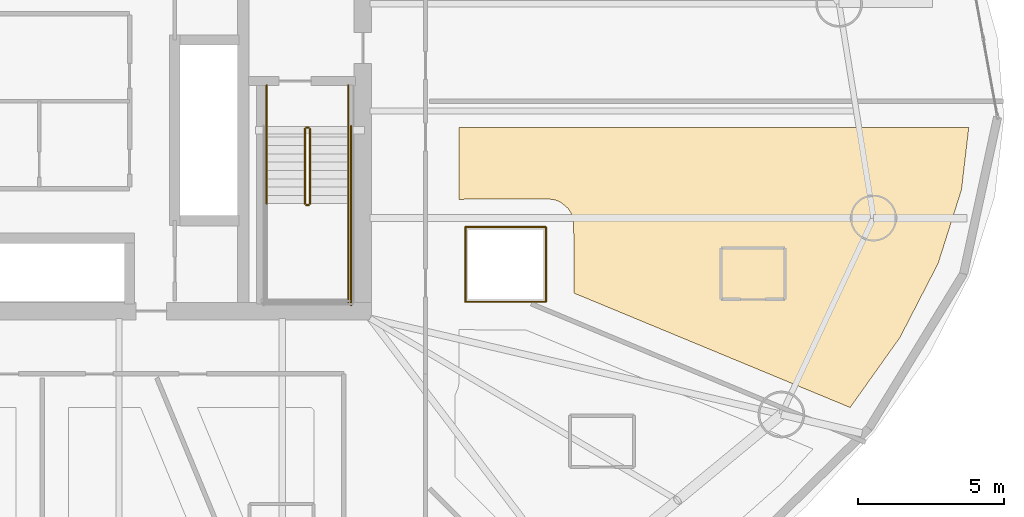
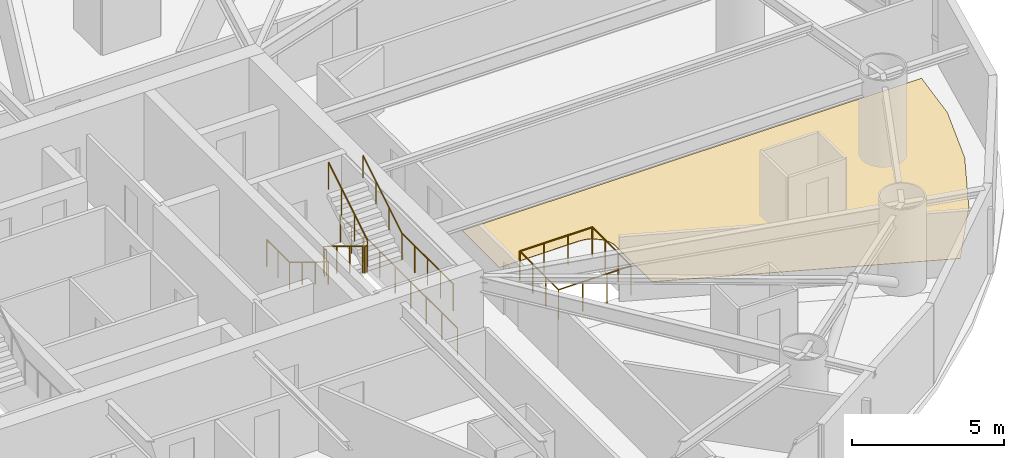
# One storey, part 26 of 27: 14 railings, 1 covering.
"""IFC4 building model written with IfcOpenShell, lengths in metres."""

import ifcopenshell
import ifcopenshell.guid

model = None  # the IFC model being written
_history = None  # IfcOwnerHistory: only IFC2X3 demands one
_inside = {}  # id of a spatial element -> (the spatial element, [elements in it])
_under = {}  # id of a project, library or spatial element -> (it, [spatial elements below it])
_declared = {}  # id of a project -> (the project, [libraries it declares])
_typed = {}  # id of a type object -> (the type object, [elements of that type])
_made_of = {}  # id of a material, layer set ... -> (it, [elements and type objects made of it])


def new_model(schema):
    """Start an empty IFC model of exactly this schema.

    Asked for "IFC4X3", IfcOpenShell would pick the latest addendum, in which some entities
    have other attributes; the version numbers below select the first issue.
    IFC2X3 requires an IfcOwnerHistory on every rooted entity: one is made here for all.
    """
    global model, _history
    if schema == "IFC4X3":
        model = ifcopenshell.file(schema_version=(4, 3, 0, 0))
    else:
        model = ifcopenshell.file(schema=schema)
    _inside.clear()
    _under.clear()
    _declared.clear()
    _typed.clear()
    _made_of.clear()
    _history = None
    if model.schema == "IFC2X3":
        org = make("IfcOrganization", Name="unknown")
        user = make(
            "IfcPersonAndOrganization",
            ThePerson=make("IfcPerson", FamilyName="unknown"),
            TheOrganization=org,
        )
        app = make(
            "IfcApplication",
            ApplicationDeveloper=org,
            Version="unknown",
            ApplicationFullName="unknown",
            ApplicationIdentifier="unknown",
        )
        _history = make(
            "IfcOwnerHistory",
            OwningUser=user,
            OwningApplication=app,
            ChangeAction="ADDED",
            CreationDate=0,
        )
    return model


def make(cls, **values):
    """One entity of the class cls with the attributes given. An attribute that is None is left unset."""
    return model.create_entity(
        cls, **{name: value for name, value in values.items() if value is not None}
    )


def rooted(cls, **values):
    """An entity with a GlobalId (a new one), such as an element, a storey or a relation."""
    return make(cls, GlobalId=ifcopenshell.guid.new(), OwnerHistory=_history, **values)


def si_unit(unit_type, name, prefix=None):
    """IfcSIUnit, for example si_unit("LENGTHUNIT", "METRE", prefix="MILLI")."""
    return make("IfcSIUnit", UnitType=unit_type, Prefix=prefix, Name=name)


def assignment(units):
    """IfcUnitAssignment: the units of a project."""
    return None if units is None else make("IfcUnitAssignment", Units=units)


def point(xyz):
    """IfcCartesianPoint."""
    return None if xyz is None else make("IfcCartesianPoint", Coordinates=xyz)


def direction(xyz):
    """IfcDirection."""
    return None if xyz is None else make("IfcDirection", DirectionRatios=xyz)


def frame(location, z_axis=None, x_axis=None):
    """IfcAxis2Placement3D, a coordinate frame: its origin and axes. An axis left out is left unset."""
    return make(
        "IfcAxis2Placement3D",
        Location=point(location),
        Axis=direction(z_axis),
        RefDirection=direction(x_axis),
    )


def frame_2d(location, x_axis=None):
    """IfcAxis2Placement2D, a coordinate frame in the plane: its origin and x axis."""
    return make(
        "IfcAxis2Placement2D", Location=point(location), RefDirection=direction(x_axis)
    )


def origin():
    """The frame at (0, 0, 0) with its axes left unset."""
    return frame((0.0, 0.0, 0.0))


def origin_2d():
    """The frame at (0, 0) in the plane with its x axis left unset."""
    return frame_2d((0.0, 0.0))


def place(relative_to, where):
    """IfcLocalPlacement: puts the frame where relative to a parent placement (None: the world)."""
    return make(
        "IfcLocalPlacement", PlacementRelTo=relative_to, RelativePlacement=where
    )


def context(
    kind, dimensions, precision=None, world=None, true_north=None, identifier=None
):
    """IfcGeometricRepresentationContext, for example the 3D "Model" context."""
    return make(
        "IfcGeometricRepresentationContext",
        ContextIdentifier=identifier,
        ContextType=kind,
        CoordinateSpaceDimension=dimensions,
        Precision=precision,
        WorldCoordinateSystem=world,
        TrueNorth=true_north,
    )


def subcontext(parent, identifier, kind, view, scale=None):
    """IfcGeometricRepresentationSubContext, for example "Body" below "Model"."""
    return make(
        "IfcGeometricRepresentationSubContext",
        ContextIdentifier=identifier,
        ContextType=kind,
        ParentContext=parent,
        TargetScale=scale,
        TargetView=view,
    )


def project(units=None, contexts=None):
    """IfcProject with its units and contexts."""
    return rooted(
        "IfcProject",
        Name="project",
        RepresentationContexts=contexts,
        UnitsInContext=assignment(units),
    )


def spatial(cls, under=None, at=None, **own):
    """A site, building, storey or space (cls), placed at a placement, below another one or the project."""
    s = rooted(cls, ObjectPlacement=at, **own)
    if under is not None:
        _under.setdefault(under.id(), (under, []))[1].append(s)
    return s


def polyline(points):
    """IfcPolyline through the points."""
    return make("IfcPolyline", Points=[point(p) for p in points])


def profile(cls, at=None, kind="AREA", **sizes):
    """A parametric profile (cls). Its sizes go by their IFC names, for example OverallWidth=200.0."""
    return make(cls, ProfileType=kind, Position=at, **sizes)


def circle(**sizes):
    """IfcCircleProfileDef."""
    return profile("IfcCircleProfileDef", **sizes)


def outline(outer, holes=None, kind="AREA"):
    """IfcArbitraryClosedProfileDef: a profile drawn as a closed curve; with holes, ...WithVoids."""
    if holes is None:
        return make("IfcArbitraryClosedProfileDef", ProfileType=kind, OuterCurve=outer)
    return make(
        "IfcArbitraryProfileDefWithVoids",
        ProfileType=kind,
        OuterCurve=outer,
        InnerCurves=holes,
    )


def extrude(swept, where, along, depth):
    """IfcExtrudedAreaSolid: the profile swept, set in the frame where, extruded along a direction by depth."""
    return make(
        "IfcExtrudedAreaSolid",
        SweptArea=swept,
        Position=where,
        ExtrudedDirection=direction(along),
        Depth=depth,
    )


def shape(context_of_items, identifier, shape_type, items):
    """IfcShapeRepresentation: the items that make up one representation, for example the "Body"."""
    return make(
        "IfcShapeRepresentation",
        ContextOfItems=context_of_items,
        RepresentationIdentifier=identifier,
        RepresentationType=shape_type,
        Items=items,
    )


def material(Name=None, Category=None):
    """IfcMaterial."""
    return make("IfcMaterial", Name=Name, Category=Category)


def layer(
    of_material, thickness, ventilated=None, Name=None, Category=None, Priority=None
):
    """IfcMaterialLayer: one layer of a wall or slab, of a material (None: an air gap)."""
    return make(
        "IfcMaterialLayer",
        Material=of_material,
        LayerThickness=thickness,
        IsVentilated=ventilated,
        Name=Name,
        Category=Category,
        Priority=Priority,
    )


def layer_set(layers, Name=None):
    """IfcMaterialLayerSet."""
    return make("IfcMaterialLayerSet", MaterialLayers=layers, LayerSetName=Name)


def made_of(thing, what):
    """Note that an element or type object is made of a material, layer set ...; save() writes the relation."""
    if what is not None:
        _made_of.setdefault(what.id(), (what, []))[1].append(thing)
    return thing


def type_object(cls, material=None, **own):
    """A type object (cls), such as IfcWallType, which elements share."""
    return made_of(rooted(cls, **own), material)


def element(
    cls,
    number,
    at=None,
    inside=None,
    cuts=None,
    type_object=None,
    material=None,
    context=None,
    identifier="Body",
    shape_type=None,
    held_by="IfcProductDefinitionShape",
    body=None,
    shapes=None,
    **own,
):
    """One element of the class cls, such as IfcWall. Its Tag is "e" and its number.

    at: its placement. inside: the storey or other place that contains it. cuts: it is an
    opening in that element (IfcRelVoidsElement). A single representation is given by context,
    identifier, shape_type and body (its items); several are given by shapes. held_by: the class
    of the entity that holds the representations. save() writes the other relations.
    """
    e = rooted(cls, Tag="e%d" % number, ObjectPlacement=at, **own)
    if body is not None:
        shapes = [shape(context, identifier, shape_type, body)]
    if shapes is not None:
        e.Representation = make(held_by, Representations=shapes)
    if inside is not None:
        _inside.setdefault(inside.id(), (inside, []))[1].append(e)
    if cuts is not None:
        rooted(
            "IfcRelVoidsElement", RelatingBuildingElement=cuts, RelatedOpeningElement=e
        )
    if type_object is not None:
        _typed.setdefault(type_object.id(), (type_object, []))[1].append(e)
    return made_of(e, material)


def aggregate(whole, parts):
    """IfcRelAggregates: a whole, such as a stair, and the parts it consists of."""
    return rooted("IfcRelAggregates", RelatingObject=whole, RelatedObjects=parts)


def save(model, path):
    """Write the relations noted so far, then the file.

    IfcRelAggregates (storeys below a building ...), IfcRelContainedInSpatialStructure (elements
    in a storey), IfcRelDefinesByType, IfcRelAssociatesMaterial and IfcRelDeclares: one each for
    every whole, place, type object, material and project.
    """
    for whole, parts in _under.values():
        aggregate(whole, parts)
    for where, things in _inside.values():
        rooted(
            "IfcRelContainedInSpatialStructure",
            RelatedElements=things,
            RelatingStructure=where,
        )
    for kind, things in _typed.values():
        rooted("IfcRelDefinesByType", RelatedObjects=things, RelatingType=kind)
    for what, things in _made_of.values():
        rooted("IfcRelAssociatesMaterial", RelatedObjects=things, RelatingMaterial=what)
    for by, libraries in _declared.values():
        rooted("IfcRelDeclares", RelatingContext=by, RelatedDefinitions=libraries)
    model.write(path)


model = new_model("IFC4")

# Units and contexts
model_context = context("Model", 3, precision=1e-05, world=origin(), true_north=direction((0.0, 1.0)))
body_context = subcontext(model_context, "Body", "Model", "MODEL_VIEW")
ifc_project = project(units=[si_unit("LENGTHUNIT", "METRE"), si_unit("AREAUNIT", "SQUARE_METRE"), si_unit("VOLUMEUNIT", "CUBIC_METRE"), si_unit("PLANEANGLEUNIT", "RADIAN"), si_unit("MASSUNIT", "GRAM", prefix="KILO")], contexts=[model_context])

# Site, building, storey
site_placement = place(None, origin())
site = spatial("IfcSite", under=ifc_project, at=site_placement, CompositionType="ELEMENT")
building_placement = place(site_placement, origin())
building = spatial("IfcBuilding", under=site, at=building_placement, Name="Bramvorn Convention Spire", CompositionType="ELEMENT")
storey_placement = place(building_placement, frame((0.0, 0.0, 41.39990234375)))
storey = spatial("IfcBuildingStorey", under=building, at=storey_placement, Name="L07", CompositionType="ELEMENT", Elevation=41.39990234375)

# Covering
ifc_material_1 = material(Name="Solution-Dyed Wool Broadloom Hospitality Carpet", Category="textile")
ifc_layer = layer(ifc_material_1, 0.014892578125)
ifc_layer_set = layer_set([ifc_layer], Name="Solution-Dyed Wool Broadloom Hospitality Carpet - FLR-CARPET-15")
covering_type = type_object("IfcCoveringType", Name="FLR-CARPET-15", PredefinedType="FLOORING", material=ifc_layer_set)
covering_placement = place(storey_placement, origin())
element("IfcCovering", 1, at=covering_placement, inside=storey, type_object=covering_type, Name="Hotel Suite 0716 wool broadloom carpet", PredefinedType="FLOORING", context=body_context, shape_type="SweptSolid", body=[
    extrude(outline(polyline([(55.35009765625, 22.64990234375), (55.611328125, 22.611083984375), (55.7744140625, 22.543701171875), (56.045654296875, 22.321044921875), (56.181396484375, 22.094482421875), (56.232666015625, 21.925537109375), (56.25, 19.414794921875), (65.71728515625, 15.4931640625), (67.4306640625, 17.90185546875), (68.73681640625, 20.438720703125), (69.537109375, 22.96142578125), (69.78759765625, 25.10009765625), (52.300048828125, 25.10009765625), (52.300048828125, 22.636474609375), (55.35009765625, 22.64990234375)])), origin(), (0.0, 0.0, 1.0), 0.01513671875),
])

# Railings
ifc_material_2 = material(Name="Warm Bronze Perforated Metal & Glass Balustrade", Category="glass")
railing_type_1 = type_object("IfcRailingType", Name="RL-POD-BALUSTRADE-1200", PredefinedType="BALUSTRADE", material=ifc_material_2)
railing_1_placement = place(storey_placement, frame((52.52001953125, 19.1201171875, 0.0)))
element("IfcRailing", 2, at=railing_1_placement, inside=storey, type_object=railing_type_1, Name="L07 Feature atrium void balustrade 1", PredefinedType="BALUSTRADE", context=body_context, shape_type="SweptSolid", body=[
    extrude(circle(Radius=0.02392578125, at=origin_2d()), frame((0.0, 0.0, 1.17578125), z_axis=(1.0, 0.0, 0.0), x_axis=(0.0, 1.0, 0.0)), (0.0, 0.0, 1.0), 2.760009765625),
    extrude(circle(Radius=0.02099609375, at=origin_2d()), origin(), (0.0, 0.0, 1.0), 1.15185546875),
    extrude(circle(Radius=0.02099609375, at=origin_2d()), frame((0.919921875, 0.0, 0.0)), (0.0, 0.0, 1.0), 1.15185546875),
    extrude(circle(Radius=0.02099609375, at=origin_2d()), frame((1.840087890625, 0.0, 0.0)), (0.0, 0.0, 1.0), 1.15185546875),
    extrude(circle(Radius=0.02099609375, at=origin_2d()), frame((2.760009765625, 0.0, 0.0)), (0.0, 0.0, 1.0), 1.15185546875),
])
railing_2_placement = place(storey_placement, frame((55.280029296875, 19.1201171875, 0.0)))
element("IfcRailing", 3, at=railing_2_placement, inside=storey, type_object=railing_type_1, Name="L07 Feature atrium void balustrade 2", PredefinedType="BALUSTRADE", context=body_context, shape_type="SweptSolid", body=[
    extrude(circle(Radius=0.02392578125, at=origin_2d()), frame((0.0, 0.0, 1.17578125), z_axis=(0.0, 1.0, 0.0), x_axis=(-1.0, 0.0, 0.0)), (0.0, 0.0, 1.0), 2.559814453125),
    extrude(circle(Radius=0.02099609375, at=origin_2d()), origin(), (0.0, 0.0, 1.0), 1.15185546875),
    extrude(circle(Radius=0.02099609375, at=origin_2d()), frame((0.0, 0.853271484375, 0.0)), (0.0, 0.0, 1.0), 1.15185546875),
    extrude(circle(Radius=0.02099609375, at=origin_2d()), frame((0.0, 1.70654296875, 0.0)), (0.0, 0.0, 1.0), 1.15185546875),
    extrude(circle(Radius=0.02099609375, at=origin_2d()), frame((0.0, 2.559814453125, 0.0)), (0.0, 0.0, 1.0), 1.15185546875),
])
railing_3_placement = place(storey_placement, frame((55.280029296875, 21.679931640625, 0.0)))
element("IfcRailing", 4, at=railing_3_placement, inside=storey, type_object=railing_type_1, Name="L07 Feature atrium void balustrade 3", PredefinedType="BALUSTRADE", context=body_context, shape_type="SweptSolid", body=[
    extrude(circle(Radius=0.02392578125, at=origin_2d()), frame((0.0, 0.0, 1.17578125), z_axis=(-1.0, 0.0, 0.0), x_axis=(0.0, -1.0, 0.0)), (0.0, 0.0, 1.0), 2.760009765625),
    extrude(circle(Radius=0.02099609375, at=origin_2d()), origin(), (0.0, 0.0, 1.0), 1.15185546875),
    extrude(circle(Radius=0.02099609375, at=origin_2d()), frame((-0.919921875, 0.0, 0.0)), (0.0, 0.0, 1.0), 1.15185546875),
    extrude(circle(Radius=0.02099609375, at=origin_2d()), frame((-1.840087890625, 0.0, 0.0)), (0.0, 0.0, 1.0), 1.15185546875),
    extrude(circle(Radius=0.02099609375, at=origin_2d()), frame((-2.760009765625, 0.0, 0.0)), (0.0, 0.0, 1.0), 1.15185546875),
])
railing_4_placement = place(storey_placement, frame((52.52001953125, 21.679931640625, 0.0)))
element("IfcRailing", 5, at=railing_4_placement, inside=storey, type_object=railing_type_1, Name="L07 Feature atrium void balustrade 4", PredefinedType="BALUSTRADE", context=body_context, shape_type="SweptSolid", body=[
    extrude(circle(Radius=0.02392578125, at=origin_2d()), frame((0.0, 0.0, 1.17578125), z_axis=(0.0, -1.0, 0.0), x_axis=(1.0, 0.0, 0.0)), (0.0, 0.0, 1.0), 2.559814453125),
    extrude(circle(Radius=0.02099609375, at=origin_2d()), origin(), (0.0, 0.0, 1.0), 1.15185546875),
    extrude(circle(Radius=0.02099609375, at=origin_2d()), frame((0.0, -0.853271484375, 0.0)), (0.0, 0.0, 1.0), 1.15185546875),
    extrude(circle(Radius=0.02099609375, at=origin_2d()), frame((0.0, -1.70654296875, 0.0)), (0.0, 0.0, 1.0), 1.15185546875),
    extrude(circle(Radius=0.02099609375, at=origin_2d()), frame((0.0, -2.559814453125, 0.0)), (0.0, 0.0, 1.0), 1.15185546875),
])
ifc_material_3 = material(Name="Painted Steel Balustrade & Guardrail", Category="steel")
railing_type_2 = type_object("IfcRailingType", Name="RL-STAIR-GUARD-1100", PredefinedType="GUARDRAIL", material=ifc_material_3)
railing_5_placement = place(storey_placement, frame((47.010009765625, 25.050048828125, 0.175048828125)))
element("IfcRailing", 6, at=railing_5_placement, inside=storey, type_object=railing_type_2, Name="L07 ST2 stair guard 1", PredefinedType="GUARDRAIL", context=body_context, shape_type="SweptSolid", body=[
    extrude(circle(Radius=0.02392578125, at=origin_2d()), frame((0.0, 0.0, 1.076171875), z_axis=(0.0, -0.852173129349, 0.523259933127), x_axis=(1.0, 0.0, 0.0)), (0.0, 0.0, 1.0), 3.009765625),
    extrude(circle(Radius=0.02099609375, at=origin_2d()), origin(), (0.0, 0.0, 1.0), 1.052001953125),
    extrude(circle(Radius=0.02099609375, at=origin_2d()), frame((0.0, -0.85498046875, 0.52490234375)), (0.0, 0.0, 1.0), 1.052001953125),
    extrude(circle(Radius=0.02099609375, at=origin_2d()), frame((0.0, -1.7099609375, 1.050048828125)), (0.0, 0.0, 1.0), 1.052001953125),
    extrude(circle(Radius=0.02099609375, at=origin_2d()), frame((0.0, -2.56494140625, 1.574951171875)), (0.0, 0.0, 1.0), 1.052001953125),
])
railing_6_placement = place(storey_placement, frame((47.06005859375, 22.43505859375, 1.75)))
element("IfcRailing", 7, at=railing_6_placement, inside=storey, type_object=railing_type_2, Name="L07 ST2 stair guard 2", PredefinedType="GUARDRAIL", context=body_context, shape_type="SweptSolid", body=[
    extrude(circle(Radius=0.02392578125, at=origin_2d()), frame((0.0, 0.0, 1.076171875), z_axis=(1.0, 0.0, 0.0), x_axis=(0.0, 1.0, 0.0)), (0.0, 0.0, 1.0), 0.079833984375),
    extrude(circle(Radius=0.02099609375, at=origin_2d()), origin(), (0.0, 0.0, 1.0), 1.052001953125),
    extrude(circle(Radius=0.02099609375, at=origin_2d()), frame((0.079833984375, 0.0, 0.0)), (0.0, 0.0, 1.0), 1.052001953125),
])
railing_7_placement = place(storey_placement, frame((48.5, 22.485107421875, 1.75)))
element("IfcRailing", 8, at=railing_7_placement, inside=storey, type_object=railing_type_2, Name="L07 ST2 stair guard 4", PredefinedType="GUARDRAIL", context=body_context, shape_type="SweptSolid", body=[
    extrude(circle(Radius=0.02392578125, at=origin_2d()), frame((0.0, 0.0, 1.076171875), z_axis=(0.0, -1.0, 0.0), x_axis=(1.0, 0.0, 0.0)), (0.0, 0.0, 1.0), 3.385009765625),
    extrude(circle(Radius=0.02099609375, at=origin_2d()), origin(), (0.0, 0.0, 1.0), 1.052001953125),
    extrude(circle(Radius=0.02099609375, at=origin_2d()), frame((0.0, -0.84619140625, 0.0)), (0.0, 0.0, 1.0), 1.052001953125),
    extrude(circle(Radius=0.02099609375, at=origin_2d()), frame((0.0, -1.6923828125, 0.0)), (0.0, 0.0, 1.0), 1.052001953125),
    extrude(circle(Radius=0.02099609375, at=origin_2d()), frame((0.0, -2.538818359375, 0.0)), (0.0, 0.0, 1.0), 1.052001953125),
    extrude(circle(Radius=0.02099609375, at=origin_2d()), frame((0.0, -3.385009765625, 0.0)), (0.0, 0.0, 1.0), 1.052001953125),
])
railing_8_placement = place(storey_placement, frame((47.18994140625, 22.485107421875, 1.925048828125)))
element("IfcRailing", 9, at=railing_8_placement, inside=storey, type_object=railing_type_2, Name="L07 ST2 stair guard 6", PredefinedType="GUARDRAIL", context=body_context, shape_type="SweptSolid", body=[
    extrude(circle(Radius=0.02392578125, at=origin_2d()), frame((0.0, 0.0, 1.076171875), z_axis=(0.0, 0.852173129349, 0.523259933127), x_axis=(-1.0, 0.0, 0.0)), (0.0, 0.0, 1.0), 3.009765625),
    extrude(circle(Radius=0.02099609375, at=origin_2d()), origin(), (0.0, 0.0, 1.0), 1.052001953125),
    extrude(circle(Radius=0.02099609375, at=origin_2d()), frame((0.0, 0.85498046875, 0.52490234375)), (0.0, 0.0, 1.0), 1.052001953125),
    extrude(circle(Radius=0.02099609375, at=origin_2d()), frame((0.0, 1.7099609375, 1.050048828125)), (0.0, 0.0, 1.0), 1.052001953125),
    extrude(circle(Radius=0.02099609375, at=origin_2d()), frame((0.0, 2.56494140625, 1.574951171875)), (0.0, 0.0, 1.0), 1.052001953125),
])
railing_9_placement = place(storey_placement, frame((47.06005859375, 25.10009765625, 0.0)))
element("IfcRailing", 10, at=railing_9_placement, inside=storey, type_object=railing_type_2, Name="L07 ST2 stair guard 7", PredefinedType="GUARDRAIL", context=body_context, shape_type="SweptSolid", body=[
    extrude(circle(Radius=0.02392578125, at=origin_2d()), frame((0.0, 0.0, 1.076171875), z_axis=(1.0, 0.0, 0.0), x_axis=(0.0, 1.0, 0.0)), (0.0, 0.0, 1.0), 0.079833984375),
    extrude(circle(Radius=0.02099609375, at=origin_2d()), origin(), (0.0, 0.0, 1.0), 1.052001953125),
    extrude(circle(Radius=0.02099609375, at=origin_2d()), frame((0.079833984375, 0.0, 0.0)), (0.0, 0.0, 1.0), 1.052001953125),
])
for number, where, name in (
    (11, (45.699951171875, 26.550048828125, 0.0), "L07 ST2 stair guard 8"),
    (12, (48.5, 26.550048828125, 0.0), "L07 ST2 stair guard 9"),
):
    element("IfcRailing", number, at=place(storey_placement, frame(where)), inside=storey, type_object=railing_type_2, Name=name, PredefinedType="GUARDRAIL", context=body_context, shape_type="SweptSolid", body=[
        extrude(circle(Radius=0.02392578125, at=origin_2d()), frame((0.0, 0.0, 1.076171875), z_axis=(0.0, -1.0, 0.0), x_axis=(1.0, 0.0, 0.0)), (0.0, 0.0, 1.0), 1.5),
        extrude(circle(Radius=0.02099609375, at=origin_2d()), origin(), (0.0, 0.0, 1.0), 1.052001953125),
        extrude(circle(Radius=0.02099609375, at=origin_2d()), frame((0.0, -0.75, 0.0)), (0.0, 0.0, 1.0), 1.052001953125),
        extrude(circle(Radius=0.02099609375, at=origin_2d()), frame((0.0, -1.5, 0.0)), (0.0, 0.0, 1.0), 1.052001953125),
    ])
railing_10_placement = place(storey_placement, frame((48.60009765625, 25.14990234375, 0.0)))
element("IfcRailing", 13, at=railing_10_placement, inside=storey, type_object=railing_type_2, Name="L07 ST2 stair guard 11", PredefinedType="GUARDRAIL", context=body_context, shape_type="SweptSolid", body=[
    extrude(circle(Radius=0.02392578125, at=origin_2d()), frame((0.0, 0.0, 1.076171875), z_axis=(0.0, -1.0, 0.0), x_axis=(1.0, 0.0, 0.0)), (0.0, 0.0, 1.0), 6.14990234375),
    extrude(circle(Radius=0.02099609375, at=origin_2d()), origin(), (0.0, 0.0, 1.0), 1.052001953125),
    extrude(circle(Radius=0.02099609375, at=origin_2d()), frame((0.0, -1.02490234375, 0.0)), (0.0, 0.0, 1.0), 1.052001953125),
    extrude(circle(Radius=0.02099609375, at=origin_2d()), frame((0.0, -2.050048828125, 0.0)), (0.0, 0.0, 1.0), 1.052001953125),
    extrude(circle(Radius=0.02099609375, at=origin_2d()), frame((0.0, -3.074951171875, 0.0)), (0.0, 0.0, 1.0), 1.052001953125),
    extrude(circle(Radius=0.02099609375, at=origin_2d()), frame((0.0, -4.099853515625, 0.0)), (0.0, 0.0, 1.0), 1.052001953125),
    extrude(circle(Radius=0.02099609375, at=origin_2d()), frame((0.0, -5.125, 0.0)), (0.0, 0.0, 1.0), 1.052001953125),
    extrude(circle(Radius=0.02099609375, at=origin_2d()), frame((0.0, -6.14990234375, 0.0)), (0.0, 0.0, 1.0), 1.052001953125),
])
ifc_material_4 = material(Name="Brushed Bronze Tubular Handrail", Category="aluminium")
railing_type_3 = type_object("IfcRailingType", Name="RL-STAIR-HR-920", PredefinedType="HANDRAIL", material=ifc_material_4)
railing_11_placement = place(storey_placement, frame((45.699951171875, 25.050048828125, 0.175048828125)))
element("IfcRailing", 14, at=railing_11_placement, inside=storey, type_object=railing_type_3, Name="L07 ST2 stair handrail 1", PredefinedType="HANDRAIL", context=body_context, shape_type="SweptSolid", body=[
    extrude(circle(Radius=0.02392578125, at=origin_2d()), frame((0.0, 0.0, 0.89599609375), z_axis=(0.0, -0.852173129349, 0.523259933127), x_axis=(1.0, 0.0, 0.0)), (0.0, 0.0, 1.0), 3.009765625),
    extrude(circle(Radius=0.02099609375, at=origin_2d()), origin(), (0.0, 0.0, 1.0), 0.871826171875),
    extrude(circle(Radius=0.02099609375, at=origin_2d()), frame((0.0, -0.85498046875, 0.52490234375)), (0.0, 0.0, 1.0), 0.871826171875),
    extrude(circle(Radius=0.02099609375, at=origin_2d()), frame((0.0, -1.7099609375, 1.050048828125)), (0.0, 0.0, 1.0), 0.871826171875),
    extrude(circle(Radius=0.02099609375, at=origin_2d()), frame((0.0, -2.56494140625, 1.574951171875)), (0.0, 0.0, 1.0), 0.871826171875),
])
railing_12_placement = place(storey_placement, frame((48.5, 22.485107421875, 1.925048828125)))
element("IfcRailing", 15, at=railing_12_placement, inside=storey, type_object=railing_type_3, Name="L07 ST2 stair handrail 2", PredefinedType="HANDRAIL", context=body_context, shape_type="SweptSolid", body=[
    extrude(circle(Radius=0.02392578125, at=origin_2d()), frame((0.0, 0.0, 0.89599609375), z_axis=(0.0, 0.852173129349, 0.523259933127), x_axis=(-1.0, 0.0, 0.0)), (0.0, 0.0, 1.0), 3.009765625),
    extrude(circle(Radius=0.02099609375, at=origin_2d()), origin(), (0.0, 0.0, 1.0), 0.871826171875),
    extrude(circle(Radius=0.02099609375, at=origin_2d()), frame((0.0, 0.85498046875, 0.52490234375)), (0.0, 0.0, 1.0), 0.871826171875),
    extrude(circle(Radius=0.02099609375, at=origin_2d()), frame((0.0, 1.7099609375, 1.050048828125)), (0.0, 0.0, 1.0), 0.871826171875),
    extrude(circle(Radius=0.02099609375, at=origin_2d()), frame((0.0, 2.56494140625, 1.574951171875)), (0.0, 0.0, 1.0), 0.871826171875),
])

save(model, "model.ifc")
